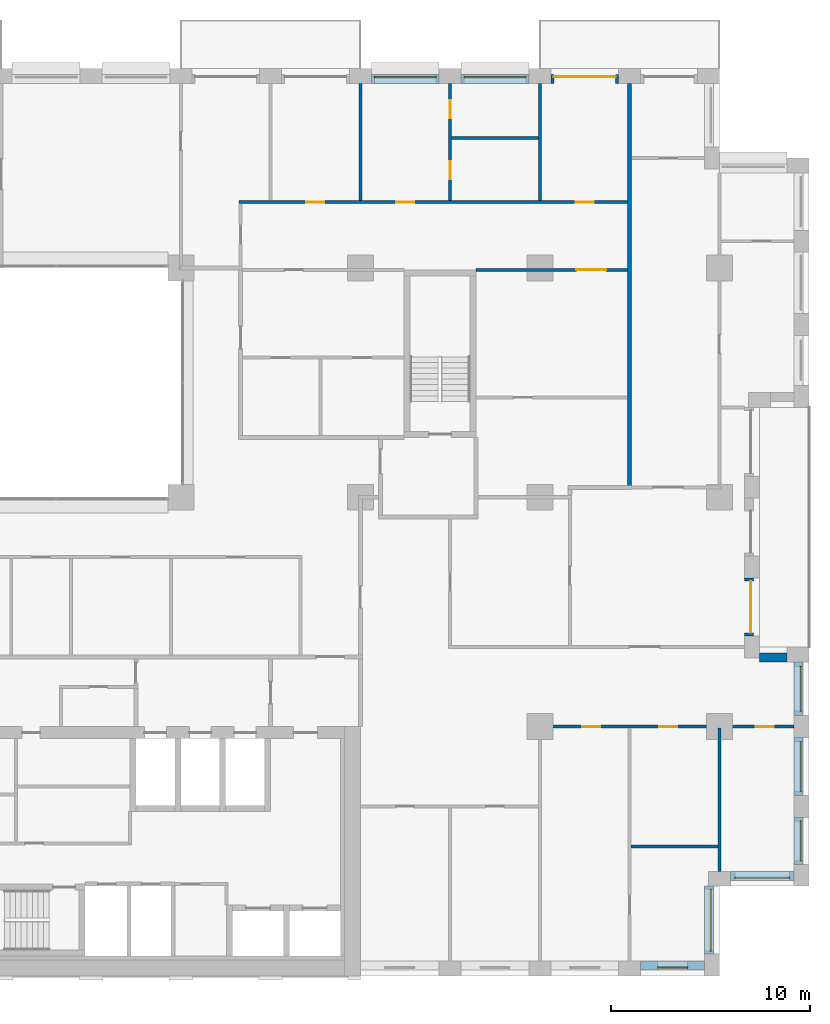
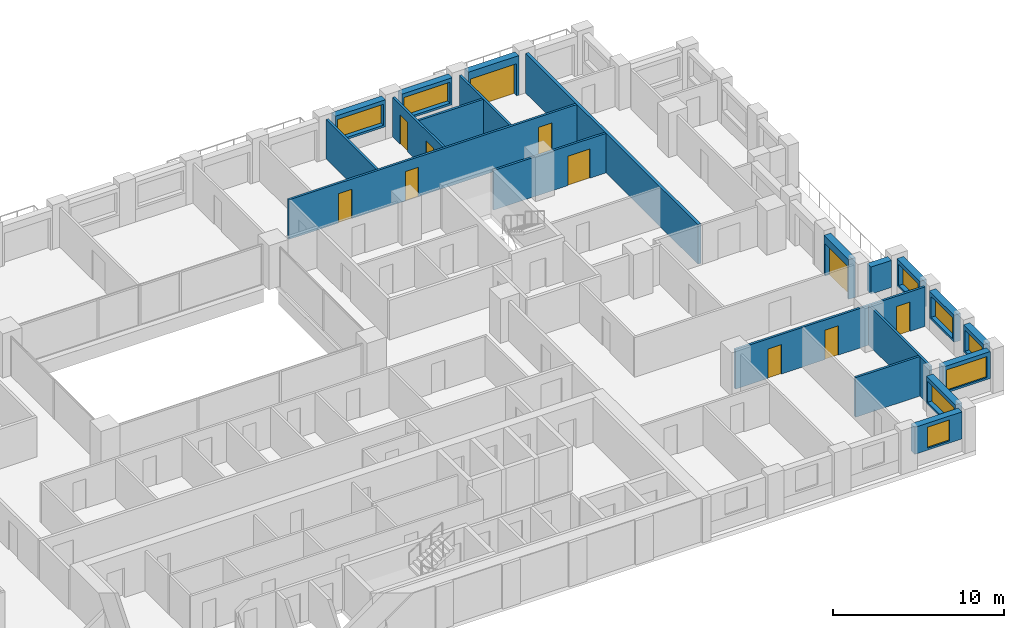
# One storey, part 14 of 16: 21 walls, 11 doors, 8 windows, 19 openings.
"""IFC4 building model written with IfcOpenShell, lengths in metres."""

from ifc_helpers import new_model, si_unit, direction, frame, frame_2d, origin, place, context, subcontext, project, spatial, rectangle, extrude, material, layer, layer_set, type_object, element, fill, save


model = new_model("IFC4")

# Units and contexts
model_context = context("Model", 3, precision=1e-05, world=origin(), true_north=direction((0.0, 1.0)))
body_context = subcontext(model_context, "Body", "Model", "MODEL_VIEW")
ifc_project = project(units=[si_unit("LENGTHUNIT", "METRE"), si_unit("AREAUNIT", "SQUARE_METRE"), si_unit("VOLUMEUNIT", "CUBIC_METRE"), si_unit("PLANEANGLEUNIT", "RADIAN"), si_unit("MASSUNIT", "GRAM", prefix="KILO")], contexts=[model_context])

# Site, building, storey
site_placement = place(None, origin())
site = spatial("IfcSite", under=ifc_project, at=site_placement, CompositionType="ELEMENT")
building_placement = place(site_placement, origin())
building = spatial("IfcBuilding", under=site, at=building_placement, Name="Brigalow Station Residences", CompositionType="ELEMENT")
storey_placement = place(building_placement, frame((0.0, 0.0, 105.60009765625)))
storey = spatial("IfcBuildingStorey", under=building, at=storey_placement, Name="L30", CompositionType="ELEMENT", Elevation=105.60009765625)

# Wall, opening, window
ifc_material_1 = material(Name="Clay brick masonry", Category="masonry")
ifc_layer_1 = layer(ifc_material_1, 0.449951171875)
ifc_layer_set_1 = layer_set([ifc_layer_1], Name="BRICK INFILL WALL 450")
wall_type_1 = type_object("IfcWallType", Name="BRICK INFILL WALL 450", PredefinedType="SOLIDWALL", material=ifc_layer_set_1)
wall_1_placement = place(storey_placement, frame((68.050048828125, 0.52490234375, 0.89990234375), z_axis=(0.0, 0.0, 1.0), x_axis=(1.0, 0.0, 0.0)))
wall_1 = element("IfcWall", 1, at=wall_1_placement, inside=storey, type_object=wall_type_1, Name="L30/ewall/W-L30-7", PredefinedType="SOLIDWALL", context=body_context, shape_type="SweptSolid", body=[
    extrude(rectangle(XDim=3.199951171875, YDim=0.449951171875, at=frame_2d((1.60009765625, 0.0))), origin(), (0.0, 0.0, 1.0), 1.929931640625),
])
opening_1_placement = place(wall_1_placement, frame((0.85009765625, 0.0, 0.14990234375)))
opening_1 = element("IfcOpeningElement", 2, at=opening_1_placement, cuts=wall_1, Name="Opening WT-1", PredefinedType="OPENING", context=body_context, shape_type="SweptSolid", body=[
    extrude(rectangle(XDim=1.5, YDim=1.5, at=frame_2d((0.75, 0.75))), frame((0.0, 0.23486328125, 0.0), z_axis=(0.0, -1.0, 0.0), x_axis=(1.0, 0.0, 0.0)), (0.0, 0.0, 1.0), 0.469970703125),
])
ifc_material_2 = material(Name="Anodised aluminium frame with double glazing", Category="aluminium")
window_type_1 = type_object("IfcWindowType", Name="WINDOW 1500x1500", PartitioningType="SINGLE_PANEL", PredefinedType="WINDOW", material=ifc_material_2)
window_1_placement = place(opening_1_placement, origin())
window_1 = element("IfcWindow", 3, at=window_1_placement, inside=storey, type_object=window_type_1, Name="L30/window/W-L30-7", OverallHeight=1.5, OverallWidth=1.5, PartitioningType="SINGLE_PANEL", PredefinedType="WINDOW", context=body_context, shape_type="SweptSolid", body=[
    extrude(rectangle(XDim=1.5, YDim=1.5, at=frame_2d((0.75, 0.75))), frame((0.0, -0.06494140625, 0.0), z_axis=(0.0, -1.0, 0.0), x_axis=(1.0, 0.0, 0.0)), (0.0, 0.0, 1.0), 0.06005859375),
])
fill(opening_1, window_1)

wall_2_placement = place(storey_placement, frame((71.47509765625, 1.10009765625, 0.89990234375), z_axis=(0.0, 0.0, 1.0), x_axis=(0.0, 1.0, 0.0)))
wall_2 = element("IfcWall", 4, at=wall_2_placement, inside=storey, type_object=wall_type_1, Name="L30/ewall/W-L30-8", PredefinedType="SOLIDWALL", context=body_context, shape_type="SweptSolid", body=[
    extrude(rectangle(XDim=3.39990234375, YDim=0.449951171875, at=frame_2d((1.699951171875, 0.0))), origin(), (0.0, 0.0, 1.0), 1.929931640625),
])
opening_2_placement = place(wall_2_placement, frame((0.14990234375, 0.0, 0.14990234375)))
opening_2 = element("IfcOpeningElement", 5, at=opening_2_placement, cuts=wall_2, Name="Opening WT-8", PredefinedType="OPENING", context=body_context, shape_type="SweptSolid", body=[
    extrude(rectangle(XDim=3.10009765625, YDim=1.5, at=frame_2d((1.550048828125, 0.75))), frame((0.0, 0.23486328125, 0.0), z_axis=(0.0, -1.0, 0.0), x_axis=(1.0, 0.0, 0.0)), (0.0, 0.0, 1.0), 0.469970703125),
])
ifc_material_3 = material(Name="Anodised aluminium frame with double glazing", Category="aluminium")
window_type_2 = type_object("IfcWindowType", Name="WINDOW 3100x1500", PartitioningType="SINGLE_PANEL", PredefinedType="WINDOW", material=ifc_material_3)
window_2_placement = place(opening_2_placement, origin())
window_2 = element("IfcWindow", 6, at=window_2_placement, inside=storey, type_object=window_type_2, Name="L30/window/W-L30-8", OverallHeight=1.5, OverallWidth=3.10009765625, PartitioningType="SINGLE_PANEL", PredefinedType="WINDOW", context=body_context, shape_type="SweptSolid", body=[
    extrude(rectangle(XDim=3.10009765625, YDim=1.5, at=frame_2d((1.550048828125, 0.75))), frame((0.0, -0.06494140625, 0.0), z_axis=(0.0, -1.0, 0.0), x_axis=(1.0, 0.0, 0.0)), (0.0, 0.0, 1.0), 0.06005859375),
])
fill(opening_2, window_2)

wall_3_placement = place(storey_placement, frame((72.550048828125, 5.02490234375, 0.89990234375), z_axis=(0.0, 0.0, 1.0), x_axis=(1.0, 0.0, 0.0)))
wall_3 = element("IfcWall", 7, at=wall_3_placement, inside=storey, type_object=wall_type_1, Name="L30/ewall/W-L30-9", PredefinedType="SOLIDWALL", context=body_context, shape_type="SweptSolid", body=[
    extrude(rectangle(XDim=3.199951171875, YDim=0.449951171875, at=frame_2d((1.60009765625, 0.0))), origin(), (0.0, 0.0, 1.0), 1.929931640625),
])
opening_3_placement = place(wall_3_placement, frame((0.22509765625, 0.0, 0.14990234375)))
opening_3 = element("IfcOpeningElement", 8, at=opening_3_placement, cuts=wall_3, Name="Opening WT-3", PredefinedType="OPENING", context=body_context, shape_type="SweptSolid", body=[
    extrude(rectangle(XDim=2.75, YDim=1.5, at=frame_2d((1.375, 0.75))), frame((0.0, 0.23486328125, 0.0), z_axis=(0.0, -1.0, 0.0), x_axis=(1.0, 0.0, 0.0)), (0.0, 0.0, 1.0), 0.469970703125),
])
ifc_material_4 = material(Name="Anodised aluminium frame with double glazing", Category="aluminium")
window_type_3 = type_object("IfcWindowType", Name="WINDOW 2750x1500", PartitioningType="SINGLE_PANEL", PredefinedType="WINDOW", material=ifc_material_4)
window_3_placement = place(opening_3_placement, origin())
window_3 = element("IfcWindow", 9, at=window_3_placement, inside=storey, type_object=window_type_3, Name="L30/window/W-L30-9", OverallHeight=1.5, OverallWidth=2.75, PartitioningType="SINGLE_PANEL", PredefinedType="WINDOW", context=body_context, shape_type="SweptSolid", body=[
    extrude(rectangle(XDim=2.75, YDim=1.5, at=frame_2d((1.375, 0.75))), frame((0.0, -0.06494140625, 0.0), z_axis=(0.0, -1.0, 0.0), x_axis=(1.0, 0.0, 0.0)), (0.0, 0.0, 1.0), 0.06005859375),
])
fill(opening_3, window_3)

wall_4_placement = place(storey_placement, frame((75.97509765625, 5.60009765625, 0.89990234375), z_axis=(0.0, 0.0, 1.0), x_axis=(0.0, 1.0, 0.0)))
wall_4 = element("IfcWall", 10, at=wall_4_placement, inside=storey, type_object=wall_type_1, Name="L30/ewall/W-L30-10", PredefinedType="SOLIDWALL", context=body_context, shape_type="SweptSolid", body=[
    extrude(rectangle(XDim=2.349853515625, YDim=0.449951171875, at=frame_2d((1.1748046875, 0.0))), origin(), (0.0, 0.0, 1.0), 1.929931640625),
])
opening_4_placement = place(wall_4_placement, frame((0.175048828125, 0.0, 0.14990234375)))
opening_4 = element("IfcOpeningElement", 11, at=opening_4_placement, cuts=wall_4, Name="Opening WT-7", PredefinedType="OPENING", context=body_context, shape_type="SweptSolid", body=[
    extrude(rectangle(XDim=2.0, YDim=1.5, at=frame_2d((1.0, 0.75))), frame((0.0, 0.23486328125, 0.0), z_axis=(0.0, -1.0, 0.0), x_axis=(1.0, 0.0, 0.0)), (0.0, 0.0, 1.0), 0.469970703125),
])
ifc_material_5 = material(Name="Anodised aluminium frame with double glazing", Category="aluminium")
window_type_4 = type_object("IfcWindowType", Name="WINDOW 2000x1500", PartitioningType="SINGLE_PANEL", PredefinedType="WINDOW", material=ifc_material_5)
window_4_placement = place(opening_4_placement, origin())
window_4 = element("IfcWindow", 12, at=window_4_placement, inside=storey, type_object=window_type_4, Name="L30/window/W-L30-10", OverallHeight=1.5, OverallWidth=2.0, PartitioningType="SINGLE_PANEL", PredefinedType="WINDOW", context=body_context, shape_type="SweptSolid", body=[
    extrude(rectangle(XDim=2.0, YDim=1.5, at=frame_2d((1.0, 0.75))), frame((0.0, -0.06494140625, 0.0), z_axis=(0.0, -1.0, 0.0), x_axis=(1.0, 0.0, 0.0)), (0.0, 0.0, 1.0), 0.06005859375),
])
fill(opening_4, window_4)

wall_5_placement = place(storey_placement, frame((75.97509765625, 9.050048828125, 0.89990234375), z_axis=(0.0, 0.0, 1.0), x_axis=(0.0, 1.0, 0.0)))
wall_5 = element("IfcWall", 13, at=wall_5_placement, inside=storey, type_object=wall_type_1, Name="L30/ewall/W-L30-11", PredefinedType="SOLIDWALL", context=body_context, shape_type="SweptSolid", body=[
    extrude(rectangle(XDim=2.89990234375, YDim=0.449951171875, at=frame_2d((1.449951171875, 0.0))), origin(), (0.0, 0.0, 1.0), 1.929931640625),
])
opening_5_placement = place(wall_5_placement, frame((0.199951171875, 0.0, 0.14990234375)))
opening_5 = element("IfcOpeningElement", 14, at=opening_5_placement, cuts=wall_5, Name="Opening WT-5", PredefinedType="OPENING", context=body_context, shape_type="SweptSolid", body=[
    extrude(rectangle(XDim=2.5, YDim=1.5, at=frame_2d((1.25, 0.75))), frame((0.0, 0.23486328125, 0.0), z_axis=(0.0, -1.0, 0.0), x_axis=(1.0, 0.0, 0.0)), (0.0, 0.0, 1.0), 0.469970703125),
])
ifc_material_6 = material(Name="Anodised aluminium frame with double glazing", Category="aluminium")
window_type_5 = type_object("IfcWindowType", Name="WINDOW 2500x1500", PartitioningType="SINGLE_PANEL", PredefinedType="WINDOW", material=ifc_material_6)
window_5_placement = place(opening_5_placement, origin())
window_5 = element("IfcWindow", 15, at=window_5_placement, inside=storey, type_object=window_type_5, Name="L30/window/W-L30-11", OverallHeight=1.5, OverallWidth=2.5, PartitioningType="SINGLE_PANEL", PredefinedType="WINDOW", context=body_context, shape_type="SweptSolid", body=[
    extrude(rectangle(XDim=2.5, YDim=1.5, at=frame_2d((1.25, 0.75))), frame((0.0, -0.06494140625, 0.0), z_axis=(0.0, -1.0, 0.0), x_axis=(1.0, 0.0, 0.0)), (0.0, 0.0, 1.0), 0.06005859375),
])
fill(opening_5, window_5)

wall_6_placement = place(storey_placement, frame((75.97509765625, 13.050048828125, 0.89990234375), z_axis=(0.0, 0.0, 1.0), x_axis=(0.0, 1.0, 0.0)))
wall_6 = element("IfcWall", 16, at=wall_6_placement, inside=storey, type_object=wall_type_1, Name="L30/ewall/W-L30-12", PredefinedType="SOLIDWALL", context=body_context, shape_type="SweptSolid", body=[
    extrude(rectangle(XDim=2.699951171875, YDim=0.449951171875, at=frame_2d((1.35009765625, 0.0))), origin(), (0.0, 0.0, 1.0), 1.929931640625),
])
opening_6_placement = place(wall_6_placement, frame((0.22509765625, 0.0, 0.14990234375)))
opening_6 = element("IfcOpeningElement", 17, at=opening_6_placement, cuts=wall_6, Name="Opening WT-6", PredefinedType="OPENING", context=body_context, shape_type="SweptSolid", body=[
    extrude(rectangle(XDim=2.25, YDim=1.5, at=frame_2d((1.125, 0.75))), frame((0.0, 0.23486328125, 0.0), z_axis=(0.0, -1.0, 0.0), x_axis=(1.0, 0.0, 0.0)), (0.0, 0.0, 1.0), 0.469970703125),
])
ifc_material_7 = material(Name="Anodised aluminium frame with double glazing", Category="aluminium")
window_type_6 = type_object("IfcWindowType", Name="WINDOW 2250x1500", PartitioningType="SINGLE_PANEL", PredefinedType="WINDOW", material=ifc_material_7)
window_6_placement = place(opening_6_placement, origin())
window_6 = element("IfcWindow", 18, at=window_6_placement, inside=storey, type_object=window_type_6, Name="L30/window/W-L30-12", OverallHeight=1.5, OverallWidth=2.25, PartitioningType="SINGLE_PANEL", PredefinedType="WINDOW", context=body_context, shape_type="SweptSolid", body=[
    extrude(rectangle(XDim=2.25, YDim=1.5, at=frame_2d((1.125, 0.75))), frame((0.0, -0.06494140625, 0.0), z_axis=(0.0, -1.0, 0.0), x_axis=(1.0, 0.0, 0.0)), (0.0, 0.0, 1.0), 0.06005859375),
])
fill(opening_6, window_6)

# Wall
wall_7_placement = place(storey_placement, frame((75.39990234375, 15.97509765625, 0.89990234375), z_axis=(0.0, 0.0, 1.0), x_axis=(-1.0, 0.0, 0.0)))
element("IfcWall", 19, at=wall_7_placement, inside=storey, type_object=wall_type_1, Name="L30/ewall/W-L30-13", PredefinedType="SOLIDWALL", context=body_context, shape_type="SweptSolid", body=[
    extrude(rectangle(XDim=1.39990234375, YDim=0.449951171875, at=frame_2d((0.699951171875, 0.0))), origin(), (0.0, 0.0, 1.0), 1.929931640625),
])

# Wall, opening, door
wall_8_placement = place(storey_placement, frame((73.47509765625, 17.050048828125, 0.0), z_axis=(0.0, 0.0, 1.0), x_axis=(0.0, 1.0, 0.0)))
wall_8 = element("IfcWall", 20, at=wall_8_placement, inside=storey, type_object=wall_type_1, Name="L30/ewall/W-L30-14", PredefinedType="SOLIDWALL", context=body_context, shape_type="SweptSolid", body=[
    extrude(rectangle(XDim=2.89990234375, YDim=0.449951171875, at=frame_2d((1.449951171875, 0.0))), origin(), (0.0, 0.0, 1.0), 2.829833984375),
])
opening_7_placement = place(wall_8_placement, frame((0.14990234375, 0.0, 0.0)))
opening_7 = element("IfcOpeningElement", 21, at=opening_7_placement, cuts=wall_8, Name="Opening D-B2600", PredefinedType="OPENING", context=body_context, shape_type="SweptSolid", body=[
    extrude(rectangle(XDim=2.60009765625, YDim=2.300048828125, at=frame_2d((1.300048828125, 1.14990234375))), frame((0.0, 0.23486328125, 0.0), z_axis=(0.0, -1.0, 0.0), x_axis=(1.0, 0.0, 0.0)), (0.0, 0.0, 1.0), 0.469970703125),
])
ifc_material_8 = material(Name="Anodised aluminium frame with double glazing", Category="aluminium")
door_type_1 = type_object("IfcDoorType", Name="BALCONY SLIDING DOOR 2600x2300", OperationType="SLIDING_TO_LEFT", PredefinedType="DOOR", material=ifc_material_8)
door_1_placement = place(opening_7_placement, origin())
door_1 = element("IfcDoor", 22, at=door_1_placement, inside=storey, type_object=door_type_1, Name="L30/balcony-door/W-L30-14", OperationType="SLIDING_TO_LEFT", OverallHeight=2.300048828125, OverallWidth=2.60009765625, PredefinedType="DOOR", context=body_context, shape_type="SweptSolid", body=[
    extrude(rectangle(XDim=2.60009765625, YDim=2.300048828125, at=frame_2d((1.300048828125, 1.14990234375))), frame((0.0, -0.06982421875, 0.0), z_axis=(0.0, -1.0, 0.0), x_axis=(1.0, 0.0, 0.0)), (0.0, 0.0, 1.0), 0.050048828125),
])
fill(opening_7, door_1)

wall_9_placement = place(storey_placement, frame((66.949951171875, 44.97509765625, 0.0), z_axis=(0.0, 0.0, 1.0), x_axis=(-1.0, 0.0, 0.0)))
wall_9 = element("IfcWall", 23, at=wall_9_placement, inside=storey, type_object=wall_type_1, Name="L30/ewall/W-L30-24", PredefinedType="SOLIDWALL", context=body_context, shape_type="SweptSolid", body=[
    extrude(rectangle(XDim=3.39990234375, YDim=0.449951171875, at=frame_2d((1.699951171875, 0.0))), origin(), (0.0, 0.0, 1.0), 2.829833984375),
])
opening_8_placement = place(wall_9_placement, frame((0.14990234375, 0.0, 0.0)))
opening_8 = element("IfcOpeningElement", 24, at=opening_8_placement, cuts=wall_9, Name="Opening D-B3100", PredefinedType="OPENING", context=body_context, shape_type="SweptSolid", body=[
    extrude(rectangle(XDim=3.10009765625, YDim=2.300048828125, at=frame_2d((1.550048828125, 1.14990234375))), frame((0.0, 0.23486328125, 0.0), z_axis=(0.0, -1.0, 0.0), x_axis=(1.0, 0.0, 0.0)), (0.0, 0.0, 1.0), 0.469970703125),
])
ifc_material_9 = material(Name="Anodised aluminium frame with double glazing", Category="aluminium")
door_type_2 = type_object("IfcDoorType", Name="BALCONY SLIDING DOOR 3100x2300", OperationType="SLIDING_TO_LEFT", PredefinedType="DOOR", material=ifc_material_9)
door_2_placement = place(opening_8_placement, origin())
door_2 = element("IfcDoor", 25, at=door_2_placement, inside=storey, type_object=door_type_2, Name="L30/balcony-door/W-L30-24", OperationType="SLIDING_TO_LEFT", OverallHeight=2.300048828125, OverallWidth=3.10009765625, PredefinedType="DOOR", context=body_context, shape_type="SweptSolid", body=[
    extrude(rectangle(XDim=3.10009765625, YDim=2.300048828125, at=frame_2d((1.550048828125, 1.14990234375))), frame((0.0, -0.06982421875, 0.0), z_axis=(0.0, -1.0, 0.0), x_axis=(1.0, 0.0, 0.0)), (0.0, 0.0, 1.0), 0.050048828125),
])
fill(opening_8, door_2)

# Wall, opening, window
wall_10_placement = place(storey_placement, frame((62.449951171875, 44.97509765625, 0.89990234375), z_axis=(0.0, 0.0, 1.0), x_axis=(-1.0, 0.0, 0.0)))
wall_10 = element("IfcWall", 26, at=wall_10_placement, inside=storey, type_object=wall_type_1, Name="L30/ewall/W-L30-25", PredefinedType="SOLIDWALL", context=body_context, shape_type="SweptSolid", body=[
    extrude(rectangle(XDim=3.39990234375, YDim=0.449951171875, at=frame_2d((1.699951171875, 0.0))), origin(), (0.0, 0.0, 1.0), 1.929931640625),
])
opening_9_placement = place(wall_10_placement, frame((0.14990234375, 0.0, 0.14990234375)))
opening_9 = element("IfcOpeningElement", 27, at=opening_9_placement, cuts=wall_10, Name="Opening WT-8", PredefinedType="OPENING", context=body_context, shape_type="SweptSolid", body=[
    extrude(rectangle(XDim=3.10009765625, YDim=1.5, at=frame_2d((1.550048828125, 0.75))), frame((0.0, 0.23486328125, 0.0), z_axis=(0.0, -1.0, 0.0), x_axis=(1.0, 0.0, 0.0)), (0.0, 0.0, 1.0), 0.469970703125),
])
window_7_placement = place(opening_9_placement, origin())
window_7 = element("IfcWindow", 28, at=window_7_placement, inside=storey, type_object=window_type_2, Name="L30/window/W-L30-25", OverallHeight=1.5, OverallWidth=3.10009765625, PartitioningType="SINGLE_PANEL", PredefinedType="WINDOW", context=body_context, shape_type="SweptSolid", body=[
    extrude(rectangle(XDim=3.10009765625, YDim=1.5, at=frame_2d((1.550048828125, 0.75))), frame((0.0, -0.06494140625, 0.0), z_axis=(0.0, -1.0, 0.0), x_axis=(1.0, 0.0, 0.0)), (0.0, 0.0, 1.0), 0.06005859375),
])
fill(opening_9, window_7)

wall_11_placement = place(storey_placement, frame((57.949951171875, 44.97509765625, 0.89990234375), z_axis=(0.0, 0.0, 1.0), x_axis=(-1.0, 0.0, 0.0)))
wall_11 = element("IfcWall", 29, at=wall_11_placement, inside=storey, type_object=wall_type_1, Name="L30/ewall/W-L30-26", PredefinedType="SOLIDWALL", context=body_context, shape_type="SweptSolid", body=[
    extrude(rectangle(XDim=3.39990234375, YDim=0.449951171875, at=frame_2d((1.699951171875, 0.0))), origin(), (0.0, 0.0, 1.0), 1.929931640625),
])
opening_10_placement = place(wall_11_placement, frame((0.14990234375, 0.0, 0.14990234375)))
opening_10 = element("IfcOpeningElement", 30, at=opening_10_placement, cuts=wall_11, Name="Opening WT-8", PredefinedType="OPENING", context=body_context, shape_type="SweptSolid", body=[
    extrude(rectangle(XDim=3.10009765625, YDim=1.5, at=frame_2d((1.550048828125, 0.75))), frame((0.0, 0.23486328125, 0.0), z_axis=(0.0, -1.0, 0.0), x_axis=(1.0, 0.0, 0.0)), (0.0, 0.0, 1.0), 0.469970703125),
])
window_8_placement = place(opening_10_placement, origin())
window_8 = element("IfcWindow", 31, at=window_8_placement, inside=storey, type_object=window_type_2, Name="L30/window/W-L30-26", OverallHeight=1.5, OverallWidth=3.10009765625, PartitioningType="SINGLE_PANEL", PredefinedType="WINDOW", context=body_context, shape_type="SweptSolid", body=[
    extrude(rectangle(XDim=3.10009765625, YDim=1.5, at=frame_2d((1.550048828125, 0.75))), frame((0.0, -0.06494140625, 0.0), z_axis=(0.0, -1.0, 0.0), x_axis=(1.0, 0.0, 0.0)), (0.0, 0.0, 1.0), 0.06005859375),
])
fill(opening_10, window_8)

# Wall, openings, doors
ifc_material_10 = material(Name="Plasterboard on steel stud partition", Category="steel")
ifc_layer_2 = layer(ifc_material_10, 0.14990234375)
ifc_layer_set_2 = layer_set([ifc_layer_2], Name="FLAT PARTITION 150")
wall_type_2 = type_object("IfcWallType", Name="FLAT PARTITION 150", PredefinedType="PARTITIONING", material=ifc_layer_set_2)
wall_12_placement = place(storey_placement, frame((62.925048828125, 12.5, 0.0), z_axis=(0.0, 0.0, 1.0), x_axis=(1.0, 0.0, 0.0)))
wall_12 = element("IfcWall", 32, at=wall_12_placement, inside=storey, type_object=wall_type_2, Name="PW-2C12", PredefinedType="PARTITIONING", context=body_context, shape_type="SweptSolid", body=[
    extrude(rectangle(XDim=12.824951171875, YDim=0.14990234375, at=frame_2d((6.41259765625, 0.0))), origin(), (0.0, 0.0, 1.0), 2.829833984375),
])
opening_11_placement = place(wall_12_placement, frame((6.050048828125, 0.0, 0.0)))
opening_11 = element("IfcOpeningElement", 33, at=opening_11_placement, cuts=wall_12, Name="Opening D-2C33", PredefinedType="OPENING", context=body_context, shape_type="SweptSolid", body=[
    extrude(rectangle(XDim=0.89990234375, YDim=2.10009765625, at=frame_2d((0.449951171875, 1.050048828125))), frame((0.0, 0.0849609375, 0.0), z_axis=(0.0, -1.0, 0.0), x_axis=(1.0, 0.0, 0.0)), (0.0, 0.0, 1.0), 0.169921875),
])
opening_12_placement = place(wall_12_placement, frame((2.199951171875, 0.0, 0.0)))
opening_12 = element("IfcOpeningElement", 34, at=opening_12_placement, cuts=wall_12, Name="Opening D-2C35", PredefinedType="OPENING", context=body_context, shape_type="SweptSolid", body=[
    extrude(rectangle(XDim=0.89990234375, YDim=2.10009765625, at=frame_2d((0.449951171875, 1.050048828125))), frame((0.0, 0.0849609375, 0.0), z_axis=(0.0, -1.0, 0.0), x_axis=(1.0, 0.0, 0.0)), (0.0, 0.0, 1.0), 0.169921875),
])
opening_13_placement = place(wall_12_placement, frame((10.89990234375, 0.0, 0.0)))
opening_13 = element("IfcOpeningElement", 35, at=opening_13_placement, cuts=wall_12, Name="Opening D-2C37", PredefinedType="OPENING", context=body_context, shape_type="SweptSolid", body=[
    extrude(rectangle(XDim=0.89990234375, YDim=2.10009765625, at=frame_2d((0.449951171875, 1.050048828125))), frame((0.0, 0.0849609375, 0.0), z_axis=(0.0, -1.0, 0.0), x_axis=(1.0, 0.0, 0.0)), (0.0, 0.0, 1.0), 0.169921875),
])
ifc_material_11 = material(Name="Solid-core timber door leaf", Category="wood")
door_type_3 = type_object("IfcDoorType", Name="INTERNAL DOOR 900 x 2100", OperationType="SINGLE_SWING_LEFT", PredefinedType="DOOR", material=ifc_material_11)
door_3_placement = place(opening_11_placement, frame((0.89990234375, 0.0, 0.0), z_axis=(0.0, 0.0, 1.0), x_axis=(-1.0, 0.0, 0.0)))
door_3 = element("IfcDoor", 36, at=door_3_placement, inside=storey, type_object=door_type_3, Name="D-2C33", OperationType="SINGLE_SWING_RIGHT", OverallHeight=2.10009765625, OverallWidth=0.89990234375, PredefinedType="DOOR", context=body_context, shape_type="SweptSolid", body=[
    extrude(rectangle(XDim=0.89990234375, YDim=2.10009765625, at=frame_2d((0.449951171875, 1.050048828125))), frame((0.0, 0.02490234375, 0.0), z_axis=(0.0, -1.0, 0.0), x_axis=(1.0, 0.0, 0.0)), (0.0, 0.0, 1.0), 0.050048828125),
])
fill(opening_11, door_3)
door_4_placement = place(opening_12_placement, frame((0.89990234375, 0.0, 0.0), z_axis=(0.0, 0.0, 1.0), x_axis=(-1.0, 0.0, 0.0)))
door_4 = element("IfcDoor", 37, at=door_4_placement, inside=storey, type_object=door_type_3, Name="D-2C35", OperationType="SINGLE_SWING_LEFT", OverallHeight=2.10009765625, OverallWidth=0.89990234375, PredefinedType="DOOR", context=body_context, shape_type="SweptSolid", body=[
    extrude(rectangle(XDim=0.89990234375, YDim=2.10009765625, at=frame_2d((0.449951171875, 1.050048828125))), frame((0.0, 0.02490234375, 0.0), z_axis=(0.0, -1.0, 0.0), x_axis=(1.0, 0.0, 0.0)), (0.0, 0.0, 1.0), 0.050048828125),
])
fill(opening_12, door_4)
door_5_placement = place(opening_13_placement, frame((0.89990234375, 0.0, 0.0), z_axis=(0.0, 0.0, 1.0), x_axis=(-1.0, 0.0, 0.0)))
door_5 = element("IfcDoor", 38, at=door_5_placement, inside=storey, type_object=door_type_3, Name="D-2C37", OperationType="SINGLE_SWING_LEFT", OverallHeight=2.10009765625, OverallWidth=0.89990234375, PredefinedType="DOOR", context=body_context, shape_type="SweptSolid", body=[
    extrude(rectangle(XDim=0.89990234375, YDim=2.10009765625, at=frame_2d((0.449951171875, 1.050048828125))), frame((0.0, 0.02490234375, 0.0), z_axis=(0.0, -1.0, 0.0), x_axis=(1.0, 0.0, 0.0)), (0.0, 0.0, 1.0), 0.050048828125),
])
fill(opening_13, door_5)

# Wall, opening, door
wall_13_placement = place(storey_placement, frame((59.800048828125, 35.39990234375, 0.0), z_axis=(0.0, 0.0, 1.0), x_axis=(1.0, 0.0, 0.0)))
wall_13 = element("IfcWall", 39, at=wall_13_placement, inside=storey, type_object=wall_type_2, Name="PW-2C27", PredefinedType="PARTITIONING", context=body_context, shape_type="SweptSolid", body=[
    extrude(rectangle(XDim=7.599853515625, YDim=0.14990234375, at=frame_2d((3.7998046875, 0.0))), origin(), (0.0, 0.0, 1.0), 2.829833984375),
])
opening_14_placement = place(wall_13_placement, frame((5.02490234375, 0.0, 0.0)))
opening_14 = element("IfcOpeningElement", 40, at=opening_14_placement, cuts=wall_13, Name="Opening D-2C29", PredefinedType="OPENING", context=body_context, shape_type="SweptSolid", body=[
    extrude(rectangle(XDim=1.5, YDim=2.10009765625, at=frame_2d((0.75, 1.050048828125))), frame((0.0, 0.0849609375, 0.0), z_axis=(0.0, -1.0, 0.0), x_axis=(1.0, 0.0, 0.0)), (0.0, 0.0, 1.0), 0.169921875),
])
ifc_material_12 = material(Name="Solid-core timber door leaf", Category="wood")
door_type_4 = type_object("IfcDoorType", Name="INTERNAL DOUBLE DOOR 1500 x 2100", OperationType="DOUBLE_DOOR_SINGLE_SWING", PredefinedType="DOOR", material=ifc_material_12)
door_6_placement = place(opening_14_placement, frame((1.5, 0.0, 0.0), z_axis=(0.0, 0.0, 1.0), x_axis=(-1.0, 0.0, 0.0)))
door_6 = element("IfcDoor", 41, at=door_6_placement, inside=storey, type_object=door_type_4, Name="D-2C29", OperationType="DOUBLE_DOOR_SINGLE_SWING", OverallHeight=2.10009765625, OverallWidth=1.5, PredefinedType="DOOR", context=body_context, shape_type="SweptSolid", body=[
    extrude(rectangle(XDim=1.5, YDim=2.10009765625, at=frame_2d((0.75, 1.050048828125))), frame((0.0, 0.02490234375, 0.0), z_axis=(0.0, -1.0, 0.0), x_axis=(1.0, 0.0, 0.0)), (0.0, 0.0, 1.0), 0.050048828125),
])
fill(opening_14, door_6)

# Wall, openings, doors
wall_14_placement = place(storey_placement, frame((47.925048828125, 38.800048828125, 0.0), z_axis=(0.0, 0.0, 1.0), x_axis=(1.0, 0.0, 0.0)))
wall_14 = element("IfcWall", 42, at=wall_14_placement, inside=storey, type_object=wall_type_2, Name="PW-2C30", PredefinedType="PARTITIONING", context=body_context, shape_type="SweptSolid", body=[
    extrude(rectangle(XDim=19.474853515625, YDim=0.14990234375, at=frame_2d((9.7373046875, 0.0))), origin(), (0.0, 0.0, 1.0), 2.829833984375),
])
opening_15_placement = place(wall_14_placement, frame((3.375, 0.0, 0.0)))
opening_15 = element("IfcOpeningElement", 43, at=opening_15_placement, cuts=wall_14, Name="Opening D-2C24", PredefinedType="OPENING", context=body_context, shape_type="SweptSolid", body=[
    extrude(rectangle(XDim=0.89990234375, YDim=2.10009765625, at=frame_2d((0.449951171875, 1.050048828125))), frame((0.0, 0.0849609375, 0.0), z_axis=(0.0, -1.0, 0.0), x_axis=(1.0, 0.0, 0.0)), (0.0, 0.0, 1.0), 0.169921875),
])
opening_16_placement = place(wall_14_placement, frame((7.875, 0.0, 0.0)))
opening_16 = element("IfcOpeningElement", 44, at=opening_16_placement, cuts=wall_14, Name="Opening D-2C25", PredefinedType="OPENING", context=body_context, shape_type="SweptSolid", body=[
    extrude(rectangle(XDim=0.89990234375, YDim=2.10009765625, at=frame_2d((0.449951171875, 1.050048828125))), frame((0.0, 0.0849609375, 0.0), z_axis=(0.0, -1.0, 0.0), x_axis=(1.0, 0.0, 0.0)), (0.0, 0.0, 1.0), 0.169921875),
])
opening_17_placement = place(wall_14_placement, frame((16.875, 0.0, 0.0)))
opening_17 = element("IfcOpeningElement", 45, at=opening_17_placement, cuts=wall_14, Name="Opening D-2C28", PredefinedType="OPENING", context=body_context, shape_type="SweptSolid", body=[
    extrude(rectangle(XDim=0.89990234375, YDim=2.10009765625, at=frame_2d((0.449951171875, 1.050048828125))), frame((0.0, 0.0849609375, 0.0), z_axis=(0.0, -1.0, 0.0), x_axis=(1.0, 0.0, 0.0)), (0.0, 0.0, 1.0), 0.169921875),
])
door_7_placement = place(opening_15_placement, origin())
door_7 = element("IfcDoor", 46, at=door_7_placement, inside=storey, type_object=door_type_3, Name="D-2C24", OperationType="SINGLE_SWING_LEFT", OverallHeight=2.10009765625, OverallWidth=0.89990234375, PredefinedType="DOOR", context=body_context, shape_type="SweptSolid", body=[
    extrude(rectangle(XDim=0.89990234375, YDim=2.10009765625, at=frame_2d((0.449951171875, 1.050048828125))), frame((0.0, 0.02490234375, 0.0), z_axis=(0.0, -1.0, 0.0), x_axis=(1.0, 0.0, 0.0)), (0.0, 0.0, 1.0), 0.050048828125),
])
fill(opening_15, door_7)
door_8_placement = place(opening_16_placement, origin())
door_8 = element("IfcDoor", 47, at=door_8_placement, inside=storey, type_object=door_type_3, Name="D-2C25", OperationType="SINGLE_SWING_RIGHT", OverallHeight=2.10009765625, OverallWidth=0.89990234375, PredefinedType="DOOR", context=body_context, shape_type="SweptSolid", body=[
    extrude(rectangle(XDim=0.89990234375, YDim=2.10009765625, at=frame_2d((0.449951171875, 1.050048828125))), frame((0.0, 0.02490234375, 0.0), z_axis=(0.0, -1.0, 0.0), x_axis=(1.0, 0.0, 0.0)), (0.0, 0.0, 1.0), 0.050048828125),
])
fill(opening_16, door_8)
door_9_placement = place(opening_17_placement, origin())
door_9 = element("IfcDoor", 48, at=door_9_placement, inside=storey, type_object=door_type_3, Name="D-2C28", OperationType="SINGLE_SWING_RIGHT", OverallHeight=2.10009765625, OverallWidth=0.89990234375, PredefinedType="DOOR", context=body_context, shape_type="SweptSolid", body=[
    extrude(rectangle(XDim=0.89990234375, YDim=2.10009765625, at=frame_2d((0.449951171875, 1.050048828125))), frame((0.0, 0.02490234375, 0.0), z_axis=(0.0, -1.0, 0.0), x_axis=(1.0, 0.0, 0.0)), (0.0, 0.0, 1.0), 0.050048828125),
])
fill(opening_17, door_9)

# Walls
for number, where, z_axis, x_axis, name in (
    (49, (58.574951171875, 42.0, 0.0), (0.0, 0.0, 1.0), (1.0, 0.0, 0.0), "PW-2C32"),
    (50, (67.574951171875, 6.5, 0.0), (0.0, 0.0, 1.0), (1.0, 0.0, 0.0), "PW-2C34"),
):
    element("IfcWall", number, at=place(storey_placement, frame(where, z_axis=z_axis, x_axis=x_axis)), inside=storey, type_object=wall_type_2, Name=name, PredefinedType="PARTITIONING", context=body_context, shape_type="SweptSolid", body=[
        extrude(rectangle(XDim=4.35009765625, YDim=0.14990234375, at=frame_2d((2.175048828125, 0.0))), origin(), (0.0, 0.0, 1.0), 2.829833984375),
    ])
wall_15_placement = place(storey_placement, frame((54.0, 38.875, 0.0), z_axis=(0.0, 0.0, 1.0), x_axis=(0.0, 1.0, 0.0)))
element("IfcWall", 51, at=wall_15_placement, inside=storey, type_object=wall_type_2, Name="PW-2C37", PredefinedType="PARTITIONING", context=body_context, shape_type="SweptSolid", body=[
    extrude(rectangle(XDim=5.875, YDim=0.14990234375, at=frame_2d((2.9375, 0.0))), origin(), (0.0, 0.0, 1.0), 2.829833984375),
])

# Wall, openings, doors
wall_16_placement = place(storey_placement, frame((58.5, 38.875, 0.0), z_axis=(0.0, 0.0, 1.0), x_axis=(0.0, 1.0, 0.0)))
wall_16 = element("IfcWall", 52, at=wall_16_placement, inside=storey, type_object=wall_type_2, Name="PW-2C60", PredefinedType="PARTITIONING", context=body_context, shape_type="SweptSolid", body=[
    extrude(rectangle(XDim=5.875, YDim=0.14990234375, at=frame_2d((2.9375, 0.0))), origin(), (0.0, 0.0, 1.0), 2.829833984375),
])
opening_18_placement = place(wall_16_placement, frame((1.074951171875, 0.0, 0.0)))
opening_18 = element("IfcOpeningElement", 53, at=opening_18_placement, cuts=wall_16, Name="Opening D-2C26", PredefinedType="OPENING", context=body_context, shape_type="SweptSolid", body=[
    extrude(rectangle(XDim=0.89990234375, YDim=2.10009765625, at=frame_2d((0.449951171875, 1.050048828125))), frame((0.0, 0.0849609375, 0.0), z_axis=(0.0, -1.0, 0.0), x_axis=(1.0, 0.0, 0.0)), (0.0, 0.0, 1.0), 0.169921875),
])
opening_19_placement = place(wall_16_placement, frame((4.125, 0.0, 0.0)))
opening_19 = element("IfcOpeningElement", 54, at=opening_19_placement, cuts=wall_16, Name="Opening D-2C27", PredefinedType="OPENING", context=body_context, shape_type="SweptSolid", body=[
    extrude(rectangle(XDim=0.89990234375, YDim=2.10009765625, at=frame_2d((0.449951171875, 1.050048828125))), frame((0.0, 0.0849609375, 0.0), z_axis=(0.0, -1.0, 0.0), x_axis=(1.0, 0.0, 0.0)), (0.0, 0.0, 1.0), 0.169921875),
])
door_10_placement = place(opening_18_placement, frame((0.89990234375, 0.0, 0.0), z_axis=(0.0, 0.0, 1.0), x_axis=(-1.0, 0.0, 0.0)))
door_10 = element("IfcDoor", 55, at=door_10_placement, inside=storey, type_object=door_type_3, Name="D-2C26", OperationType="SINGLE_SWING_RIGHT", OverallHeight=2.10009765625, OverallWidth=0.89990234375, PredefinedType="DOOR", context=body_context, shape_type="SweptSolid", body=[
    extrude(rectangle(XDim=0.89990234375, YDim=2.10009765625, at=frame_2d((0.449951171875, 1.050048828125))), frame((0.0, 0.02490234375, 0.0), z_axis=(0.0, -1.0, 0.0), x_axis=(1.0, 0.0, 0.0)), (0.0, 0.0, 1.0), 0.050048828125),
])
fill(opening_18, door_10)
door_11_placement = place(opening_19_placement, frame((0.89990234375, 0.0, 0.0), z_axis=(0.0, 0.0, 1.0), x_axis=(-1.0, 0.0, 0.0)))
door_11 = element("IfcDoor", 56, at=door_11_placement, inside=storey, type_object=door_type_3, Name="D-2C27", OperationType="SINGLE_SWING_LEFT", OverallHeight=2.10009765625, OverallWidth=0.89990234375, PredefinedType="DOOR", context=body_context, shape_type="SweptSolid", body=[
    extrude(rectangle(XDim=0.89990234375, YDim=2.10009765625, at=frame_2d((0.449951171875, 1.050048828125))), frame((0.0, 0.02490234375, 0.0), z_axis=(0.0, -1.0, 0.0), x_axis=(1.0, 0.0, 0.0)), (0.0, 0.0, 1.0), 0.050048828125),
])
fill(opening_19, door_11)

# Walls
wall_17_placement = place(storey_placement, frame((63.0, 38.875, 0.0), z_axis=(0.0, 0.0, 1.0), x_axis=(0.0, 1.0, 0.0)))
element("IfcWall", 57, at=wall_17_placement, inside=storey, type_object=wall_type_2, Name="PW-2C62", PredefinedType="PARTITIONING", context=body_context, shape_type="SweptSolid", body=[
    extrude(rectangle(XDim=5.875, YDim=0.14990234375, at=frame_2d((2.9375, 0.0))), origin(), (0.0, 0.0, 1.0), 2.829833984375),
])
wall_18_placement = place(storey_placement, frame((72.0, 5.25, 0.0), z_axis=(0.0, 0.0, 1.0), x_axis=(0.0, 1.0, 0.0)))
element("IfcWall", 58, at=wall_18_placement, inside=storey, type_object=wall_type_2, Name="PW-2C65", PredefinedType="PARTITIONING", context=body_context, shape_type="SweptSolid", body=[
    extrude(rectangle(XDim=7.175048828125, YDim=0.14990234375, at=frame_2d((3.58740234375, 0.0))), origin(), (0.0, 0.0, 1.0), 2.829833984375),
])
ifc_material_13 = material(Name="Plasterboard on steel stud partition", Category="steel")
ifc_layer_3 = layer(ifc_material_13, 0.199951171875)
ifc_layer_set_3 = layer_set([ifc_layer_3], Name="PARTY AND CORRIDOR WALL 200")
wall_type_3 = type_object("IfcWallType", Name="PARTY AND CORRIDOR WALL 200", PredefinedType="PARTITIONING", material=ifc_layer_set_3)
wall_19_placement = place(storey_placement, frame((67.5, 24.574951171875, 0.0), z_axis=(0.0, 0.0, 1.0), x_axis=(0.0, 1.0, 0.0)))
element("IfcWall", 59, at=wall_19_placement, inside=storey, type_object=wall_type_3, Name="PW-2C57", PredefinedType="PARTITIONING", context=body_context, shape_type="SweptSolid", body=[
    extrude(rectangle(XDim=20.175048828125, YDim=0.199951171875, at=frame_2d((10.08740234375, 0.0))), origin(), (0.0, 0.0, 1.0), 2.829833984375),
])

save(model, "model.ifc")
